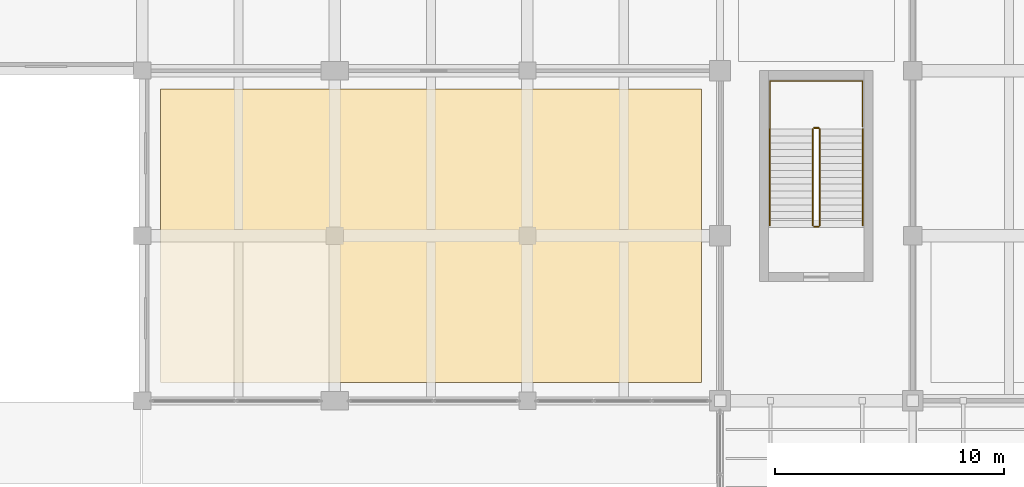
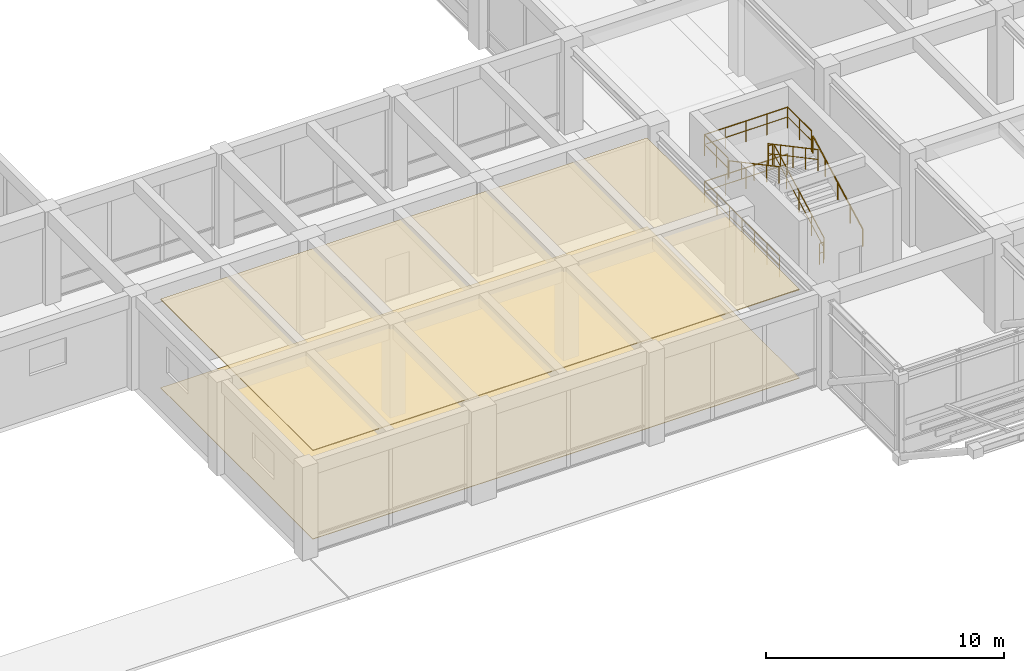
# One storey, part 43 of 52: 8 railings, 2 coverings.
"""IFC4 building model written with IfcOpenShell, lengths in metres."""

from ifc_helpers import new_model, si_unit, direction, frame, origin, origin_2d, place, context, subcontext, project, spatial, polyline, circle, outline, extrude, material, layer, layer_set, type_object, element, save


model = new_model("IFC4")

# Units and contexts
model_context = context("Model", 3, precision=1e-05, world=origin(), true_north=direction((0.0, 1.0)))
body_context = subcontext(model_context, "Body", "Model", "MODEL_VIEW")
ifc_project = project(units=[si_unit("LENGTHUNIT", "METRE"), si_unit("AREAUNIT", "SQUARE_METRE"), si_unit("VOLUMEUNIT", "CUBIC_METRE"), si_unit("PLANEANGLEUNIT", "RADIAN"), si_unit("MASSUNIT", "GRAM", prefix="KILO")], contexts=[model_context])

# Site, building, storey
site_placement = place(None, origin())
site = spatial("IfcSite", under=ifc_project, at=site_placement, CompositionType="ELEMENT")
building_placement = place(site_placement, origin())
building = spatial("IfcBuilding", under=site, at=building_placement, Name="Kenerak Square Central Library", CompositionType="ELEMENT")
storey_placement = place(building_placement, frame((0.0, 0.0, 4.800048828125)))
storey = spatial("IfcBuildingStorey", under=building, at=storey_placement, Name="L01", CompositionType="ELEMENT", Elevation=4.800048828125)

# Coverings
ifc_material_1 = material(Name="Chengal hardwood timber SG1", Category="wood")
ifc_layer_1 = layer(ifc_material_1, 0.044921875)
ifc_layer_set_1 = layer_set([ifc_layer_1], Name="Chengal hardwood timber SG1")
covering_type_1 = type_object("IfcCoveringType", Name="Perforated Chengal Acoustic Ceiling CV-CEIL", PredefinedType="CEILING", material=ifc_layer_set_1)
covering_1_placement = place(storey_placement, frame((0.0, 0.0, 4.530029296875)))
element("IfcCovering", 1, at=covering_1_placement, inside=storey, type_object=covering_type_1, Name="Acoustic Ceiling L01-03", PredefinedType="CEILING", context=body_context, shape_type="SweptSolid", body=[
    extrude(outline(polyline([(34.0, 30.39990234375), (57.60009765625, 30.39990234375), (57.60009765625, 17.60009765625), (34.0, 17.60009765625), (34.0, 30.39990234375)])), origin(), (0.0, 0.0, 1.0), 0.044921875),
])
ifc_material_2 = material(Name="Polished granite aggregate terrazzo", Category="masonry")
ifc_layer_2 = layer(ifc_material_2, 0.02490234375)
ifc_layer_set_2 = layer_set([ifc_layer_2], Name="Polished granite aggregate terrazzo")
covering_type_2 = type_object("IfcCoveringType", Name="Polished Terrazzo Reading Floor Finish CV-FLR", PredefinedType="FLOORING", material=ifc_layer_set_2)
covering_2_placement = place(storey_placement, origin())
element("IfcCovering", 2, at=covering_2_placement, inside=storey, type_object=covering_type_2, Name="Terrazzo Floor Finish L01-03", PredefinedType="FLOORING", context=body_context, shape_type="SweptSolid", body=[
    extrude(outline(polyline([(34.0, 30.39990234375), (57.60009765625, 30.39990234375), (57.60009765625, 17.60009765625), (34.0, 17.60009765625), (34.0, 30.39990234375)])), origin(), (0.0, 0.0, 1.0), 0.02490234375),
])

# Railings
ifc_material_3 = material(Name="Steel S355", Category="steel")
railing_type_1 = type_object("IfcRailingType", Name="Safety Guardrail GR-1100 S355", PredefinedType="GUARDRAIL", material=ifc_material_3)
railing_1_placement = place(storey_placement, frame((62.75, 24.449951171875, 0.159912109375)))
element("IfcRailing", 3, at=railing_1_placement, inside=storey, type_object=railing_type_1, Name="L01 ST-04 stair guard 1", PredefinedType="GUARDRAIL", context=body_context, shape_type="SweptSolid", body=[
    extrude(circle(Radius=0.02392578125, at=origin_2d()), frame((0.0, 0.0, 1.076171875), z_axis=(0.0, 0.882351521365, 0.470590897432), x_axis=(-1.0, 0.0, 0.0)), (0.0, 0.0, 1.0), 4.760009765625),
    extrude(circle(Radius=0.01806640625, at=origin_2d()), frame((0.0, 0.0, 0.572021484375), z_axis=(0.0, 0.882351521365, 0.470590897432), x_axis=(-1.0, 0.0, 0.0)), (0.0, 0.0, 1.0), 4.760009765625),
    extrude(circle(Radius=0.02099609375, at=origin_2d()), origin(), (0.0, 0.0, 1.0), 1.052001953125),
    extrude(circle(Radius=0.02099609375, at=origin_2d()), frame((0.0, 1.050048828125, 0.56005859375)), (0.0, 0.0, 1.0), 1.052001953125),
    extrude(circle(Radius=0.02099609375, at=origin_2d()), frame((0.0, 2.10009765625, 1.1201171875)), (0.0, 0.0, 1.0), 1.052001953125),
    extrude(circle(Radius=0.02099609375, at=origin_2d()), frame((0.0, 3.14990234375, 1.679931640625)), (0.0, 0.0, 1.0), 1.052001953125),
    extrude(circle(Radius=0.02099609375, at=origin_2d()), frame((0.0, 4.199951171875, 2.239990234375)), (0.0, 0.0, 1.0), 1.052001953125),
])
railing_2_placement = place(storey_placement, frame((62.699951171875, 28.699951171875, 2.39990234375)))
element("IfcRailing", 4, at=railing_2_placement, inside=storey, type_object=railing_type_1, Name="L01 ST-04 stair guard 2", PredefinedType="GUARDRAIL", context=body_context, shape_type="SweptSolid", body=[
    extrude(circle(Radius=0.02392578125, at=origin_2d()), frame((0.0, 0.0, 1.076171875), z_axis=(-1.0, 0.0, 0.0), x_axis=(0.0, -1.0, 0.0)), (0.0, 0.0, 1.0), 0.199951171875),
    extrude(circle(Radius=0.01806640625, at=origin_2d()), frame((0.0, 0.0, 0.572021484375), z_axis=(-1.0, 0.0, 0.0), x_axis=(0.0, -1.0, 0.0)), (0.0, 0.0, 1.0), 0.199951171875),
    extrude(circle(Radius=0.02099609375, at=origin_2d()), origin(), (0.0, 0.0, 1.0), 1.052001953125),
    extrude(circle(Radius=0.02099609375, at=origin_2d()), frame((-0.199951171875, 0.0, 0.0)), (0.0, 0.0, 1.0), 1.052001953125),
])
railing_3_placement = place(storey_placement, frame((62.449951171875, 28.64990234375, 2.56005859375)))
element("IfcRailing", 5, at=railing_3_placement, inside=storey, type_object=railing_type_1, Name="L01 ST-04 stair guard 3", PredefinedType="GUARDRAIL", context=body_context, shape_type="SweptSolid", body=[
    extrude(circle(Radius=0.02392578125, at=origin_2d()), frame((0.0, 0.0, 1.076171875), z_axis=(0.0, -0.882351521365, 0.470590897432), x_axis=(1.0, 0.0, 0.0)), (0.0, 0.0, 1.0), 4.760009765625),
    extrude(circle(Radius=0.01806640625, at=origin_2d()), frame((0.0, 0.0, 0.572021484375), z_axis=(0.0, -0.882351521365, 0.470590897432), x_axis=(1.0, 0.0, 0.0)), (0.0, 0.0, 1.0), 4.760009765625),
    extrude(circle(Radius=0.02099609375, at=origin_2d()), origin(), (0.0, 0.0, 1.0), 1.052001953125),
    extrude(circle(Radius=0.02099609375, at=origin_2d()), frame((0.0, -1.050048828125, 0.56005859375)), (0.0, 0.0, 1.0), 1.052001953125),
    extrude(circle(Radius=0.02099609375, at=origin_2d()), frame((0.0, -2.10009765625, 1.1201171875)), (0.0, 0.0, 1.0), 1.052001953125),
    extrude(circle(Radius=0.02099609375, at=origin_2d()), frame((0.0, -3.14990234375, 1.679931640625)), (0.0, 0.0, 1.0), 1.052001953125),
    extrude(circle(Radius=0.02099609375, at=origin_2d()), frame((0.0, -4.199951171875, 2.239990234375)), (0.0, 0.0, 1.0), 1.052001953125),
])
railing_4_placement = place(storey_placement, frame((62.699951171875, 24.39990234375, 0.0)))
element("IfcRailing", 6, at=railing_4_placement, inside=storey, type_object=railing_type_1, Name="L01 ST-04 stair guard 4", PredefinedType="GUARDRAIL", context=body_context, shape_type="SweptSolid", body=[
    extrude(circle(Radius=0.02392578125, at=origin_2d()), frame((0.0, 0.0, 1.076171875), z_axis=(-1.0, 0.0, 0.0), x_axis=(0.0, -1.0, 0.0)), (0.0, 0.0, 1.0), 0.199951171875),
    extrude(circle(Radius=0.01806640625, at=origin_2d()), frame((0.0, 0.0, 0.572021484375), z_axis=(-1.0, 0.0, 0.0), x_axis=(0.0, -1.0, 0.0)), (0.0, 0.0, 1.0), 0.199951171875),
    extrude(circle(Radius=0.02099609375, at=origin_2d()), origin(), (0.0, 0.0, 1.0), 1.052001953125),
    extrude(circle(Radius=0.02099609375, at=origin_2d()), frame((-0.199951171875, 0.0, 0.0)), (0.0, 0.0, 1.0), 1.052001953125),
])
railing_5_placement = place(storey_placement, frame((60.580078125, 28.75, 2.39990234375)))
element("IfcRailing", 7, at=railing_5_placement, inside=storey, type_object=railing_type_1, Name="Stair Half-Landing Guard ST-04 L01", PredefinedType="GUARDRAIL", context=body_context, shape_type="SweptSolid", body=[
    extrude(circle(Radius=0.02392578125, at=origin_2d()), frame((0.0, 0.0, 1.076171875), z_axis=(0.0, 1.0, 0.0), x_axis=(-1.0, 0.0, 0.0)), (0.0, 0.0, 1.0), 2.0),
    extrude(circle(Radius=0.01806640625, at=origin_2d()), frame((0.0, 0.0, 0.572021484375), z_axis=(0.0, 1.0, 0.0), x_axis=(-1.0, 0.0, 0.0)), (0.0, 0.0, 1.0), 2.0),
    extrude(circle(Radius=0.02392578125, at=origin_2d()), frame((0.0, 2.0, 1.076171875), z_axis=(1.0, 0.0, 0.0), x_axis=(0.0, 1.0, 0.0)), (0.0, 0.0, 1.0), 4.0400390625),
    extrude(circle(Radius=0.01806640625, at=origin_2d()), frame((0.0, 2.0, 0.572021484375), z_axis=(1.0, 0.0, 0.0), x_axis=(0.0, 1.0, 0.0)), (0.0, 0.0, 1.0), 4.0400390625),
    extrude(circle(Radius=0.02392578125, at=origin_2d()), frame((4.0400390625, 2.0, 1.076171875), z_axis=(0.0, -1.0, 0.0), x_axis=(1.0, 0.0, 0.0)), (0.0, 0.0, 1.0), 2.0),
    extrude(circle(Radius=0.01806640625, at=origin_2d()), frame((4.0400390625, 2.0, 0.572021484375), z_axis=(0.0, -1.0, 0.0), x_axis=(1.0, 0.0, 0.0)), (0.0, 0.0, 1.0), 2.0),
    extrude(circle(Radius=0.02099609375, at=origin_2d()), origin(), (0.0, 0.0, 1.0), 1.052001953125),
    extrude(circle(Radius=0.02099609375, at=origin_2d()), frame((0.0, 1.0, 0.0)), (0.0, 0.0, 1.0), 1.052001953125),
    extrude(circle(Radius=0.02099609375, at=origin_2d()), frame((0.0, 2.0, 0.0)), (0.0, 0.0, 1.0), 1.052001953125),
    extrude(circle(Radius=0.02099609375, at=origin_2d()), frame((1.010009765625, 2.0, 0.0)), (0.0, 0.0, 1.0), 1.052001953125),
    extrude(circle(Radius=0.02099609375, at=origin_2d()), frame((2.02001953125, 2.0, 0.0)), (0.0, 0.0, 1.0), 1.052001953125),
    extrude(circle(Radius=0.02099609375, at=origin_2d()), frame((3.030029296875, 2.0, 0.0)), (0.0, 0.0, 1.0), 1.052001953125),
    extrude(circle(Radius=0.02099609375, at=origin_2d()), frame((4.0400390625, 2.0, 0.0)), (0.0, 0.0, 1.0), 1.052001953125),
    extrude(circle(Radius=0.02099609375, at=origin_2d()), frame((4.0400390625, 1.0, 0.0)), (0.0, 0.0, 1.0), 1.052001953125),
    extrude(circle(Radius=0.02099609375, at=origin_2d()), frame((4.0400390625, 0.0, 0.0)), (0.0, 0.0, 1.0), 1.052001953125),
])
railing_6_placement = place(storey_placement, frame((60.580078125, 24.449951171875, 0.0)))
element("IfcRailing", 8, at=railing_6_placement, inside=storey, type_object=railing_type_1, Name="Stair Well Floor Guard ST-04 L01", PredefinedType="GUARDRAIL", context=body_context, shape_type="SweptSolid", body=[
    extrude(circle(Radius=0.02392578125, at=origin_2d()), frame((0.0, 0.0, 1.076171875), z_axis=(0.0, 1.0, 0.0), x_axis=(-1.0, 0.0, 0.0)), (0.0, 0.0, 1.0), 6.300048828125),
    extrude(circle(Radius=0.01806640625, at=origin_2d()), frame((0.0, 0.0, 0.572021484375), z_axis=(0.0, 1.0, 0.0), x_axis=(-1.0, 0.0, 0.0)), (0.0, 0.0, 1.0), 6.300048828125),
    extrude(circle(Radius=0.02392578125, at=origin_2d()), frame((0.0, 6.300048828125, 1.076171875), z_axis=(1.0, 0.0, 0.0), x_axis=(0.0, 1.0, 0.0)), (0.0, 0.0, 1.0), 4.0400390625),
    extrude(circle(Radius=0.01806640625, at=origin_2d()), frame((0.0, 6.300048828125, 0.572021484375), z_axis=(1.0, 0.0, 0.0), x_axis=(0.0, 1.0, 0.0)), (0.0, 0.0, 1.0), 4.0400390625),
    extrude(circle(Radius=0.02099609375, at=origin_2d()), origin(), (0.0, 0.0, 1.0), 1.052001953125),
    extrude(circle(Radius=0.02099609375, at=origin_2d()), frame((0.0, 1.050048828125, 0.0)), (0.0, 0.0, 1.0), 1.052001953125),
    extrude(circle(Radius=0.02099609375, at=origin_2d()), frame((0.0, 2.10009765625, 0.0)), (0.0, 0.0, 1.0), 1.052001953125),
    extrude(circle(Radius=0.02099609375, at=origin_2d()), frame((0.0, 3.14990234375, 0.0)), (0.0, 0.0, 1.0), 1.052001953125),
    extrude(circle(Radius=0.02099609375, at=origin_2d()), frame((0.0, 4.199951171875, 0.0)), (0.0, 0.0, 1.0), 1.052001953125),
    extrude(circle(Radius=0.02099609375, at=origin_2d()), frame((0.0, 5.25, 0.0)), (0.0, 0.0, 1.0), 1.052001953125),
    extrude(circle(Radius=0.02099609375, at=origin_2d()), frame((0.0, 6.300048828125, 0.0)), (0.0, 0.0, 1.0), 1.052001953125),
    extrude(circle(Radius=0.02099609375, at=origin_2d()), frame((1.010009765625, 6.300048828125, 0.0)), (0.0, 0.0, 1.0), 1.052001953125),
    extrude(circle(Radius=0.02099609375, at=origin_2d()), frame((2.02001953125, 6.300048828125, 0.0)), (0.0, 0.0, 1.0), 1.052001953125),
    extrude(circle(Radius=0.02099609375, at=origin_2d()), frame((3.030029296875, 6.300048828125, 0.0)), (0.0, 0.0, 1.0), 1.052001953125),
    extrude(circle(Radius=0.02099609375, at=origin_2d()), frame((4.0400390625, 6.300048828125, 0.0)), (0.0, 0.0, 1.0), 1.052001953125),
])
railing_type_2 = type_object("IfcRailingType", Name="Stair Handrail HR-880 S355", PredefinedType="HANDRAIL", material=ifc_material_3)
railing_7_placement = place(storey_placement, frame((64.6298828125, 24.449951171875, 0.159912109375)))
element("IfcRailing", 9, at=railing_7_placement, inside=storey, type_object=railing_type_2, Name="L01 ST-04 stair handrail 1", PredefinedType="HANDRAIL", context=body_context, shape_type="SweptSolid", body=[
    extrude(circle(Radius=0.02392578125, at=origin_2d()), frame((0.0, 0.0, 0.85595703125), z_axis=(0.0, 0.882351521365, 0.470590897432), x_axis=(-1.0, 0.0, 0.0)), (0.0, 0.0, 1.0), 4.760009765625),
    extrude(circle(Radius=0.02099609375, at=origin_2d()), origin(), (0.0, 0.0, 1.0), 0.831787109375),
    extrude(circle(Radius=0.02099609375, at=origin_2d()), frame((0.0, 1.050048828125, 0.56005859375)), (0.0, 0.0, 1.0), 0.831787109375),
    extrude(circle(Radius=0.02099609375, at=origin_2d()), frame((0.0, 2.10009765625, 1.1201171875)), (0.0, 0.0, 1.0), 0.831787109375),
    extrude(circle(Radius=0.02099609375, at=origin_2d()), frame((0.0, 3.14990234375, 1.679931640625)), (0.0, 0.0, 1.0), 0.831787109375),
    extrude(circle(Radius=0.02099609375, at=origin_2d()), frame((0.0, 4.199951171875, 2.239990234375)), (0.0, 0.0, 1.0), 0.831787109375),
])
railing_8_placement = place(storey_placement, frame((60.570068359375, 28.64990234375, 2.56005859375)))
element("IfcRailing", 10, at=railing_8_placement, inside=storey, type_object=railing_type_2, Name="L01 ST-04 stair handrail 2", PredefinedType="HANDRAIL", context=body_context, shape_type="SweptSolid", body=[
    extrude(circle(Radius=0.02392578125, at=origin_2d()), frame((0.0, 0.0, 0.85595703125), z_axis=(0.0, -0.882351521365, 0.470590897432), x_axis=(1.0, 0.0, 0.0)), (0.0, 0.0, 1.0), 4.760009765625),
    extrude(circle(Radius=0.02099609375, at=origin_2d()), origin(), (0.0, 0.0, 1.0), 0.831787109375),
    extrude(circle(Radius=0.02099609375, at=origin_2d()), frame((0.0, -1.050048828125, 0.56005859375)), (0.0, 0.0, 1.0), 0.831787109375),
    extrude(circle(Radius=0.02099609375, at=origin_2d()), frame((0.0, -2.10009765625, 1.1201171875)), (0.0, 0.0, 1.0), 0.831787109375),
    extrude(circle(Radius=0.02099609375, at=origin_2d()), frame((0.0, -3.14990234375, 1.679931640625)), (0.0, 0.0, 1.0), 0.831787109375),
    extrude(circle(Radius=0.02099609375, at=origin_2d()), frame((0.0, -4.199951171875, 2.239990234375)), (0.0, 0.0, 1.0), 0.831787109375),
])

save(model, "model.ifc")
